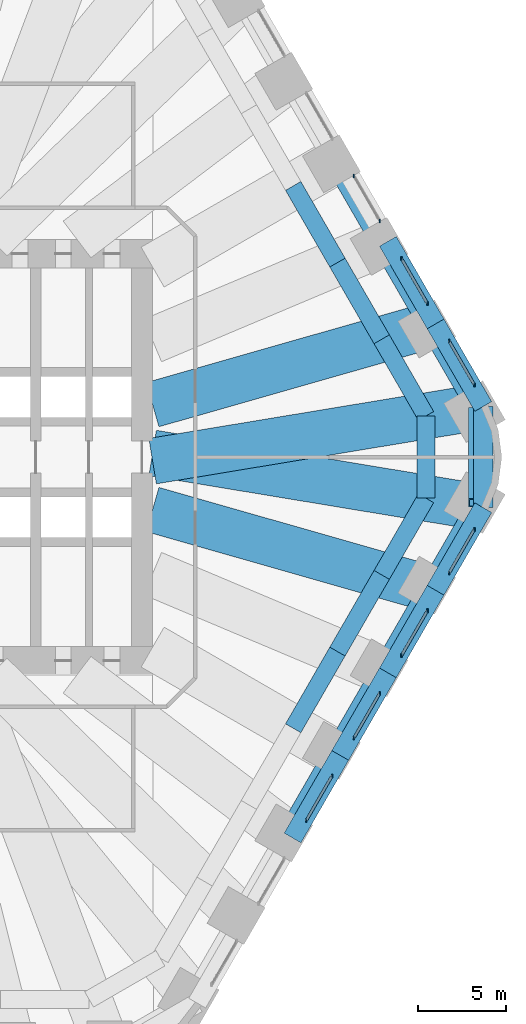
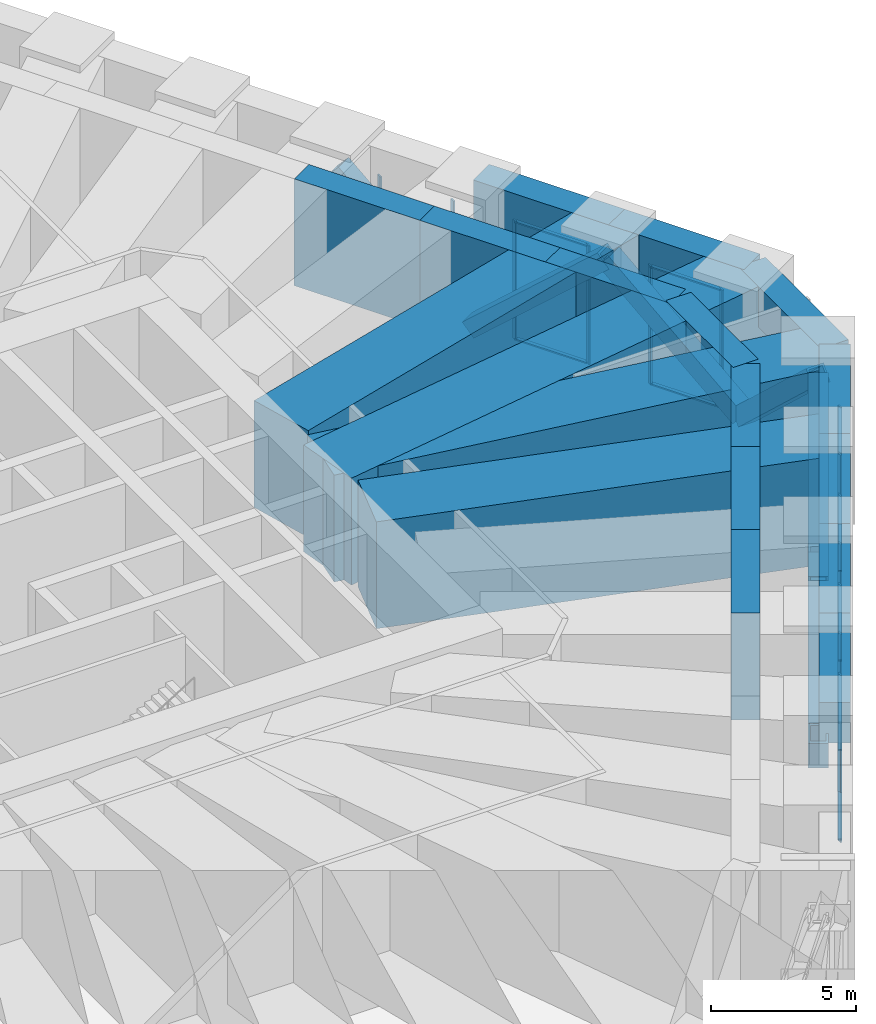
# One storey, part 9 of 17: 34 members, 18 beams, 7 elements without a shape of their own.
"""IFC4 building model written with IfcOpenShell, lengths in metres."""

from ifc_helpers import new_model, si_unit, direction, frame, origin, origin_2d, place, context, subcontext, project, spatial, rectangle, hollow_rectangle, extrude, material, material_profile, profile_set, type_object, element, aggregate, save


model = new_model("IFC4")

# Units and contexts
model_context = context("Model", 3, precision=1e-05, world=origin(), true_north=direction((0.0, 1.0)))
body_context = subcontext(model_context, "Body", "Model", "MODEL_VIEW")
ifc_project = project(units=[si_unit("LENGTHUNIT", "METRE"), si_unit("AREAUNIT", "SQUARE_METRE"), si_unit("VOLUMEUNIT", "CUBIC_METRE"), si_unit("PLANEANGLEUNIT", "RADIAN"), si_unit("MASSUNIT", "GRAM", prefix="KILO")], contexts=[model_context])

# Site, building, storey
site_placement = place(None, origin())
site = spatial("IfcSite", under=ifc_project, at=site_placement, CompositionType="ELEMENT")
building_placement = place(site_placement, origin())
building = spatial("IfcBuilding", under=site, at=building_placement, Name="Tarfa Lantern Tower", CompositionType="ELEMENT")
storey_placement = place(building_placement, frame((0.0, 0.0, 107.5)))
storey = spatial("IfcBuildingStorey", under=building, at=storey_placement, Name="L24", CompositionType="ELEMENT", Elevation=107.5)

# Members
ifc_material_1 = material(Name="Steel S460M", Category="steel")
ifc_material_profile_1 = material_profile(ifc_material_1, hollow_rectangle(XDim=0.699951171875, YDim=0.699951171875, WallThickness=0.080078125, at=origin_2d()), Name="BOX700x700x80")
ifc_profile_set_1 = profile_set([ifc_material_profile_1], Name="Steel S460M")
member_type_1 = type_object("IfcMemberType", Name="BT1 BOX700x700x80", PredefinedType="BRACE", material=ifc_profile_set_1)
for number, where, z_axis, x_axis, name in (
    (1, (36.791748046875, 2.574951171875, 0.60009765625), (-0.373364035688, 0.646688432601, 0.66512658043), (-0.866026392449, -0.499998287579, 0.0), "Belt truss diagonal 1"),
    (2, (31.403076171875, 11.908447265625, 0.60009765625), (0.373364035688, -0.646688432601, 0.66512658043), (0.866026392449, 0.499998287579, 0.0), "Belt truss diagonal 2"),
    (3, (31.403076171875, 11.908447265625, 0.60009765625), (-0.373372204356, 0.64666874901, 0.665141132444), (-0.866015065331, -0.500017906299, 0.0), "Belt truss diagonal 3"),
    (4, (28.708740234375, -16.574951171875, 0.60009765625), (-0.373364035688, -0.646688432601, 0.66512658043), (0.866026392449, -0.499998287579, 0.0), "Belt truss diagonal 38"),
    (5, (28.708740234375, -16.574951171875, 0.60009765625), (0.373372204356, 0.64666874901, 0.665141132444), (-0.866015065331, 0.500017906299, 0.0), "Belt truss diagonal 39"),
    (6, (34.097412109375, -7.24169921875, 0.60009765625), (-0.373364035688, -0.646688432601, 0.66512658043), (0.866026392449, -0.499998287579, 0.0), "Belt truss diagonal 40"),
    (7, (34.097412109375, -7.24169921875, 0.60009765625), (0.373364035688, 0.646688432601, 0.66512658043), (-0.866026392449, 0.499998287579, 0.0), "Belt truss diagonal 41"),
):
    element("IfcMember", number, at=place(storey_placement, frame(where, z_axis=z_axis, x_axis=x_axis)), inside=storey, type_object=member_type_1, Name=name, PredefinedType="BRACE", context=body_context, shape_type="SweptSolid", body=[
        extrude(hollow_rectangle(XDim=0.699951171875, YDim=0.699951171875, WallThickness=0.080078125, at=origin_2d()), origin(), (0.0, 0.0, 1.0), 7.21630859375),
    ])
member_1_placement = place(storey_placement, frame((36.791748046875, 2.574951171875, 0.60009765625), z_axis=(0.0, -0.731534837931, 0.681804063418), x_axis=(1.0, 0.0, 0.0)))
element("IfcMember", 8, at=member_1_placement, inside=storey, type_object=member_type_1, Name="Belt truss diagonal 42", PredefinedType="BRACE", context=body_context, shape_type="SweptSolid", body=[
    extrude(hollow_rectangle(XDim=0.699951171875, YDim=0.699951171875, WallThickness=0.080078125, at=origin_2d()), origin(), (0.0, 0.0, 1.0), 7.039794921875),
])

# Curtain wall, members
ifc_material_2 = material(Name="Aluminium framed curtain wall", Category="aluminium")
curtain_wall_type = type_object("IfcCurtainWallType", Name="CW6 LOUVRED SCREEN WALL 5000", PredefinedType="USERDEFINED", material=ifc_material_2)
curtain_wall_1_placement = place(storey_placement, origin())
curtain_wall_1 = element("IfcCurtainWall", 9, at=curtain_wall_1_placement, inside=storey, type_object=curtain_wall_type, Name="CW6 NE L24", ObjectType="CURTAIN WALL", PredefinedType="USERDEFINED")
ifc_material_3 = material(Name="Aluminium mullion", Category="aluminium")
ifc_material_profile_2 = material_profile(ifc_material_3, rectangle(XDim=0.06494140625, YDim=0.199951171875, at=origin_2d()), Name="AL MULLION 65x200")
ifc_profile_set_2 = profile_set([ifc_material_profile_2], Name="Aluminium mullion")
member_type_2 = type_object("IfcMemberType", Name="CWM1 MULLION 65x200", PredefinedType="MULLION", material=ifc_profile_set_2)
member_2_placement = place(storey_placement, frame((36.787353515625, 4.082275390625, 0.0), z_axis=(0.0, 0.0, 1.0), x_axis=(1.0, 0.0, 0.0)))
member_2 = element("IfcMember", 10, at=member_2_placement, type_object=member_type_2, Name="CW6 mullion 1", PredefinedType="MULLION", context=body_context, shape_type="SweptSolid", body=[
    extrude(rectangle(XDim=0.06494140625, YDim=0.199951171875, at=origin_2d()), origin(), (0.0, 0.0, 1.0), 5.0),
])
member_3_placement = place(storey_placement, frame((35.363037109375, 6.54931640625, 0.0), z_axis=(0.0, 0.0, 1.0), x_axis=(1.0, 0.0, 0.0)))
member_3 = element("IfcMember", 11, at=member_3_placement, type_object=member_type_2, Name="CW6 mullion 2", PredefinedType="MULLION", context=body_context, shape_type="SweptSolid", body=[
    extrude(rectangle(XDim=0.06494140625, YDim=0.199951171875, at=origin_2d()), origin(), (0.0, 0.0, 1.0), 5.0),
])

curtain_wall_2_placement = place(storey_placement, origin())
curtain_wall_2 = element("IfcCurtainWall", 12, at=curtain_wall_2_placement, inside=storey, type_object=curtain_wall_type, Name="CW6 NE L24", ObjectType="CURTAIN WALL", PredefinedType="USERDEFINED")
member_4_placement = place(storey_placement, frame((34.130615234375, 8.68408203125, 0.0), z_axis=(0.0, 0.0, 1.0), x_axis=(1.0, 0.0, 0.0)))
member_4 = element("IfcMember", 13, at=member_4_placement, type_object=member_type_2, Name="CW6 mullion 1", PredefinedType="MULLION", context=body_context, shape_type="SweptSolid", body=[
    extrude(rectangle(XDim=0.06494140625, YDim=0.199951171875, at=origin_2d()), origin(), (0.0, 0.0, 1.0), 5.0),
])
member_5_placement = place(storey_placement, frame((32.668701171875, 11.216064453125, 0.0), z_axis=(0.0, 0.0, 1.0), x_axis=(1.0, 0.0, 0.0)))
member_5 = element("IfcMember", 14, at=member_5_placement, type_object=member_type_2, Name="CW6 mullion 2", PredefinedType="MULLION", context=body_context, shape_type="SweptSolid", body=[
    extrude(rectangle(XDim=0.06494140625, YDim=0.199951171875, at=origin_2d()), origin(), (0.0, 0.0, 1.0), 5.0),
])

curtain_wall_3_placement = place(storey_placement, origin())
curtain_wall_3 = element("IfcCurtainWall", 15, at=curtain_wall_3_placement, inside=storey, type_object=curtain_wall_type, Name="CW6 NE L24", ObjectType="CURTAIN WALL", PredefinedType="USERDEFINED")
member_6_placement = place(storey_placement, frame((31.436279296875, 13.350830078125, 0.0), z_axis=(0.0, 0.0, 1.0), x_axis=(1.0, 0.0, 0.0)))
member_6 = element("IfcMember", 16, at=member_6_placement, type_object=member_type_2, Name="CW6 mullion 1", PredefinedType="MULLION", context=body_context, shape_type="SweptSolid", body=[
    extrude(rectangle(XDim=0.06494140625, YDim=0.199951171875, at=origin_2d()), origin(), (0.0, 0.0, 1.0), 5.0),
])
member_7_placement = place(storey_placement, frame((29.974609375, 15.882568359375, 0.0), z_axis=(0.0, 0.0, 1.0), x_axis=(1.0, 0.0, 0.0)))
member_7 = element("IfcMember", 17, at=member_7_placement, type_object=member_type_2, Name="CW6 mullion 2", PredefinedType="MULLION", context=body_context, shape_type="SweptSolid", body=[
    extrude(rectangle(XDim=0.06494140625, YDim=0.199951171875, at=origin_2d()), origin(), (0.0, 0.0, 1.0), 5.0),
])
aggregate(curtain_wall_3, [member_6, member_7])

curtain_wall_4_placement = place(storey_placement, origin())
curtain_wall_4 = element("IfcCurtainWall", 18, at=curtain_wall_4_placement, inside=storey, type_object=curtain_wall_type, Name="CW6 SE L24", ObjectType="CURTAIN WALL", PredefinedType="USERDEFINED")
member_8_placement = place(storey_placement, frame((27.2802734375, -20.54931640625, 0.0), z_axis=(0.0, 0.0, 1.0), x_axis=(1.0, 0.0, 0.0)))
member_8 = element("IfcMember", 19, at=member_8_placement, type_object=member_type_2, Name="CW6 mullion 1", PredefinedType="MULLION", context=body_context, shape_type="SweptSolid", body=[
    extrude(rectangle(XDim=0.06494140625, YDim=0.199951171875, at=origin_2d()), origin(), (0.0, 0.0, 1.0), 5.0),
])
member_9_placement = place(storey_placement, frame((28.741943359375, -18.017333984375, 0.0), z_axis=(0.0, 0.0, 1.0), x_axis=(1.0, 0.0, 0.0)))
member_9 = element("IfcMember", 20, at=member_9_placement, type_object=member_type_2, Name="CW6 mullion 2", PredefinedType="MULLION", context=body_context, shape_type="SweptSolid", body=[
    extrude(rectangle(XDim=0.06494140625, YDim=0.199951171875, at=origin_2d()), origin(), (0.0, 0.0, 1.0), 5.0),
])

curtain_wall_5_placement = place(storey_placement, origin())
curtain_wall_5 = element("IfcCurtainWall", 21, at=curtain_wall_5_placement, inside=storey, type_object=curtain_wall_type, Name="CW6 SE L24", ObjectType="CURTAIN WALL", PredefinedType="USERDEFINED")
member_10_placement = place(storey_placement, frame((29.974609375, -15.882568359375, 0.0), z_axis=(0.0, 0.0, 1.0), x_axis=(1.0, 0.0, 0.0)))
member_10 = element("IfcMember", 22, at=member_10_placement, type_object=member_type_2, Name="CW6 mullion 1", PredefinedType="MULLION", context=body_context, shape_type="SweptSolid", body=[
    extrude(rectangle(XDim=0.06494140625, YDim=0.199951171875, at=origin_2d()), origin(), (0.0, 0.0, 1.0), 5.0),
])
member_11_placement = place(storey_placement, frame((31.436279296875, -13.350830078125, 0.0), z_axis=(0.0, 0.0, 1.0), x_axis=(1.0, 0.0, 0.0)))
member_11 = element("IfcMember", 23, at=member_11_placement, type_object=member_type_2, Name="CW6 mullion 2", PredefinedType="MULLION", context=body_context, shape_type="SweptSolid", body=[
    extrude(rectangle(XDim=0.06494140625, YDim=0.199951171875, at=origin_2d()), origin(), (0.0, 0.0, 1.0), 5.0),
])

curtain_wall_6_placement = place(storey_placement, origin())
curtain_wall_6 = element("IfcCurtainWall", 24, at=curtain_wall_6_placement, inside=storey, type_object=curtain_wall_type, Name="CW6 SE L24", ObjectType="CURTAIN WALL", PredefinedType="USERDEFINED")
member_12_placement = place(storey_placement, frame((32.668701171875, -11.216064453125, 0.0), z_axis=(0.0, 0.0, 1.0), x_axis=(1.0, 0.0, 0.0)))
member_12 = element("IfcMember", 25, at=member_12_placement, type_object=member_type_2, Name="CW6 mullion 1", PredefinedType="MULLION", context=body_context, shape_type="SweptSolid", body=[
    extrude(rectangle(XDim=0.06494140625, YDim=0.199951171875, at=origin_2d()), origin(), (0.0, 0.0, 1.0), 5.0),
])
member_13_placement = place(storey_placement, frame((34.130615234375, -8.68408203125, 0.0), z_axis=(0.0, 0.0, 1.0), x_axis=(1.0, 0.0, 0.0)))
member_13 = element("IfcMember", 26, at=member_13_placement, type_object=member_type_2, Name="CW6 mullion 2", PredefinedType="MULLION", context=body_context, shape_type="SweptSolid", body=[
    extrude(rectangle(XDim=0.06494140625, YDim=0.199951171875, at=origin_2d()), origin(), (0.0, 0.0, 1.0), 5.0),
])

curtain_wall_7_placement = place(storey_placement, origin())
curtain_wall_7 = element("IfcCurtainWall", 27, at=curtain_wall_7_placement, inside=storey, type_object=curtain_wall_type, Name="CW6 SE L24", ObjectType="CURTAIN WALL", PredefinedType="USERDEFINED")
member_14_placement = place(storey_placement, frame((35.363037109375, -6.54931640625, 0.0), z_axis=(0.0, 0.0, 1.0), x_axis=(1.0, 0.0, 0.0)))
member_14 = element("IfcMember", 28, at=member_14_placement, type_object=member_type_2, Name="CW6 mullion 1", PredefinedType="MULLION", context=body_context, shape_type="SweptSolid", body=[
    extrude(rectangle(XDim=0.06494140625, YDim=0.199951171875, at=origin_2d()), origin(), (0.0, 0.0, 1.0), 5.0),
])
member_15_placement = place(storey_placement, frame((36.787353515625, -4.082275390625, 0.0), z_axis=(0.0, 0.0, 1.0), x_axis=(1.0, 0.0, 0.0)))
member_15 = element("IfcMember", 29, at=member_15_placement, type_object=member_type_2, Name="CW6 mullion 2", PredefinedType="MULLION", context=body_context, shape_type="SweptSolid", body=[
    extrude(rectangle(XDim=0.06494140625, YDim=0.199951171875, at=origin_2d()), origin(), (0.0, 0.0, 1.0), 5.0),
])

# Member
ifc_material_4 = material(Name="Aluminium transom", Category="aluminium")
ifc_material_profile_3 = material_profile(ifc_material_4, rectangle(XDim=0.14990234375, YDim=0.06494140625, at=origin_2d()), Name="AL TRANSOM 150x65")
ifc_profile_set_3 = profile_set([ifc_material_profile_3], Name="Aluminium transom")
member_type_3 = type_object("IfcMemberType", Name="CWT1 TRANSOM 150x65", PredefinedType="USERDEFINED", material=ifc_profile_set_3)
member_16_placement = place(storey_placement, frame((36.771240234375, 4.110595703125, 0.032470703125), z_axis=(-0.500016013541, 0.866016158165, 0.0), x_axis=(-0.866016158165, -0.500016013541, 0.0)))
member_16 = element("IfcMember", 30, at=member_16_placement, type_object=member_type_3, Name="CW6 transom 1.1", ObjectType="TRANSOM", PredefinedType="USERDEFINED", context=body_context, shape_type="SweptSolid", body=[
    extrude(rectangle(XDim=0.14990234375, YDim=0.06494140625, at=origin_2d()), origin(), (0.0, 0.0, 1.0), 2.78369140625),
])

member_17_placement = place(storey_placement, frame((36.771240234375, 4.110595703125, 4.967529296875), z_axis=(-0.500016013541, 0.866016158165, 0.0), x_axis=(-0.866016158165, -0.500016013541, 0.0)))
member_17 = element("IfcMember", 31, at=member_17_placement, type_object=member_type_3, Name="CW6 transom 1.2", ObjectType="TRANSOM", PredefinedType="USERDEFINED", context=body_context, shape_type="SweptSolid", body=[
    extrude(rectangle(XDim=0.14990234375, YDim=0.06494140625, at=origin_2d()), origin(), (0.0, 0.0, 1.0), 2.78369140625),
])

aggregate(curtain_wall_1, [member_2, member_3, member_16, member_17])

member_18_placement = place(storey_placement, frame((34.1142578125, 8.712158203125, 0.032470703125), z_axis=(-0.499978750566, 0.866037671803, 0.0), x_axis=(-0.866037671803, -0.499978750566, 0.0)))
member_18 = element("IfcMember", 32, at=member_18_placement, type_object=member_type_3, Name="CW6 transom 1.1", ObjectType="TRANSOM", PredefinedType="USERDEFINED", context=body_context, shape_type="SweptSolid", body=[
    extrude(rectangle(XDim=0.14990234375, YDim=0.06494140625, at=origin_2d()), origin(), (0.0, 0.0, 1.0), 2.8583984375),
])

member_19_placement = place(storey_placement, frame((34.1142578125, 8.712158203125, 4.967529296875), z_axis=(-0.499978750566, 0.866037671803, 0.0), x_axis=(-0.866037671803, -0.499978750566, 0.0)))
member_19 = element("IfcMember", 33, at=member_19_placement, type_object=member_type_3, Name="CW6 transom 1.2", ObjectType="TRANSOM", PredefinedType="USERDEFINED", context=body_context, shape_type="SweptSolid", body=[
    extrude(rectangle(XDim=0.14990234375, YDim=0.06494140625, at=origin_2d()), origin(), (0.0, 0.0, 1.0), 2.8583984375),
])

aggregate(curtain_wall_2, [member_4, member_5, member_18, member_19])

member_20_placement = place(storey_placement, frame((27.29638671875, -20.521240234375, 0.032470703125), z_axis=(0.500005823294, 0.866022041678, 0.0), x_axis=(-0.866022041678, 0.500005823294, 0.0)))
member_20 = element("IfcMember", 34, at=member_20_placement, type_object=member_type_3, Name="CW6 transom 1.1", ObjectType="TRANSOM", PredefinedType="USERDEFINED", context=body_context, shape_type="SweptSolid", body=[
    extrude(rectangle(XDim=0.14990234375, YDim=0.06494140625, at=origin_2d()), origin(), (0.0, 0.0, 1.0), 2.85888671875),
])

member_21_placement = place(storey_placement, frame((27.29638671875, -20.521240234375, 4.967529296875), z_axis=(0.500005823294, 0.866022041678, 0.0), x_axis=(-0.866022041678, 0.500005823294, 0.0)))
member_21 = element("IfcMember", 35, at=member_21_placement, type_object=member_type_3, Name="CW6 transom 1.2", ObjectType="TRANSOM", PredefinedType="USERDEFINED", context=body_context, shape_type="SweptSolid", body=[
    extrude(rectangle(XDim=0.14990234375, YDim=0.06494140625, at=origin_2d()), origin(), (0.0, 0.0, 1.0), 2.85888671875),
])

aggregate(curtain_wall_4, [member_8, member_9, member_20, member_21])

member_22_placement = place(storey_placement, frame((29.99072265625, -15.8544921875, 0.032470703125), z_axis=(0.500042804318, 0.866000689289, 0.0), x_axis=(-0.866000689289, 0.500042804318, 0.0)))
member_22 = element("IfcMember", 36, at=member_22_placement, type_object=member_type_3, Name="CW6 transom 1.1", ObjectType="TRANSOM", PredefinedType="USERDEFINED", context=body_context, shape_type="SweptSolid", body=[
    extrude(rectangle(XDim=0.14990234375, YDim=0.06494140625, at=origin_2d()), origin(), (0.0, 0.0, 1.0), 2.858642578125),
])

member_23_placement = place(storey_placement, frame((29.99072265625, -15.8544921875, 4.967529296875), z_axis=(0.500042804318, 0.866000689289, 0.0), x_axis=(-0.866000689289, 0.500042804318, 0.0)))
member_23 = element("IfcMember", 37, at=member_23_placement, type_object=member_type_3, Name="CW6 transom 1.2", ObjectType="TRANSOM", PredefinedType="USERDEFINED", context=body_context, shape_type="SweptSolid", body=[
    extrude(rectangle(XDim=0.14990234375, YDim=0.06494140625, at=origin_2d()), origin(), (0.0, 0.0, 1.0), 2.858642578125),
])

aggregate(curtain_wall_5, [member_10, member_11, member_22, member_23])

member_24_placement = place(storey_placement, frame((32.68505859375, -11.187744140625, 0.032470703125), z_axis=(0.499978750566, 0.866037671803, 0.0), x_axis=(-0.866037671803, 0.499978750566, 0.0)))
member_24 = element("IfcMember", 38, at=member_24_placement, type_object=member_type_3, Name="CW6 transom 1.1", ObjectType="TRANSOM", PredefinedType="USERDEFINED", context=body_context, shape_type="SweptSolid", body=[
    extrude(rectangle(XDim=0.14990234375, YDim=0.06494140625, at=origin_2d()), origin(), (0.0, 0.0, 1.0), 2.8583984375),
])

member_25_placement = place(storey_placement, frame((32.68505859375, -11.187744140625, 4.967529296875), z_axis=(0.499978750566, 0.866037671803, 0.0), x_axis=(-0.866037671803, 0.499978750566, 0.0)))
member_25 = element("IfcMember", 39, at=member_25_placement, type_object=member_type_3, Name="CW6 transom 1.2", ObjectType="TRANSOM", PredefinedType="USERDEFINED", context=body_context, shape_type="SweptSolid", body=[
    extrude(rectangle(XDim=0.14990234375, YDim=0.06494140625, at=origin_2d()), origin(), (0.0, 0.0, 1.0), 2.8583984375),
])

aggregate(curtain_wall_6, [member_12, member_13, member_24, member_25])

member_26_placement = place(storey_placement, frame((35.37939453125, -6.521240234375, 0.032470703125), z_axis=(0.500016013541, 0.866016158165, 0.0), x_axis=(-0.866016158165, 0.500016013541, 0.0)))
member_26 = element("IfcMember", 40, at=member_26_placement, type_object=member_type_3, Name="CW6 transom 1.1", ObjectType="TRANSOM", PredefinedType="USERDEFINED", context=body_context, shape_type="SweptSolid", body=[
    extrude(rectangle(XDim=0.14990234375, YDim=0.06494140625, at=origin_2d()), origin(), (0.0, 0.0, 1.0), 2.78369140625),
])

member_27_placement = place(storey_placement, frame((35.37939453125, -6.521240234375, 4.967529296875), z_axis=(0.500016013541, 0.866016158165, 0.0), x_axis=(-0.866016158165, 0.500016013541, 0.0)))
member_27 = element("IfcMember", 41, at=member_27_placement, type_object=member_type_3, Name="CW6 transom 1.2", ObjectType="TRANSOM", PredefinedType="USERDEFINED", context=body_context, shape_type="SweptSolid", body=[
    extrude(rectangle(XDim=0.14990234375, YDim=0.06494140625, at=origin_2d()), origin(), (0.0, 0.0, 1.0), 2.78369140625),
])

aggregate(curtain_wall_7, [member_14, member_15, member_26, member_27])

# Beams
ifc_material_5 = material(Name="Concrete C80/95", Category="concrete")
ifc_material_profile_4 = material_profile(ifc_material_5, rectangle(XDim=1.10009765625, YDim=1.699951171875, at=origin_2d()), Name="RC 1100x1700")
ifc_profile_set_4 = profile_set([ifc_material_profile_4], Name="Concrete C80/95")
beam_type_1 = type_object("IfcBeamType", Name="RB1 RC 1100x1700", PredefinedType="BEAM", material=ifc_profile_set_4)
beam_1_placement = place(storey_placement, frame((37.285400390625, 2.860107421875, 5.85009765625), z_axis=(-0.500017906299, 0.866015065331, 0.0), x_axis=(-0.866015065331, -0.500017906299, 0.0)))
element("IfcBeam", 42, at=beam_1_placement, inside=storey, type_object=beam_type_1, Name="Edge beam NE0", PredefinedType="BEAM", context=body_context, shape_type="SweptSolid", body=[
    extrude(rectangle(XDim=1.10009765625, YDim=1.699951171875, at=origin_2d()), origin(), (0.0, 0.0, 1.0), 5.388427734375),
])
beam_2_placement = place(storey_placement, frame((34.591064453125, 7.526611328125, 5.85009765625), z_axis=(-0.499998287579, 0.866026392449, 0.0), x_axis=(-0.866026392449, -0.499998287579, 0.0)))
element("IfcBeam", 43, at=beam_2_placement, inside=storey, type_object=beam_type_1, Name="Edge beam NE1", PredefinedType="BEAM", context=body_context, shape_type="SweptSolid", body=[
    extrude(rectangle(XDim=1.10009765625, YDim=1.699951171875, at=origin_2d()), origin(), (0.0, 0.0, 1.0), 5.388671875),
])
beam_3_placement = place(storey_placement, frame((26.508056640625, -21.526611328125, 5.85009765625), z_axis=(0.500017906299, 0.866015065331, 0.0), x_axis=(-0.866015065331, 0.500017906299, 0.0)))
element("IfcBeam", 44, at=beam_3_placement, inside=storey, type_object=beam_type_1, Name="Edge beam SE2", PredefinedType="BEAM", context=body_context, shape_type="SweptSolid", body=[
    extrude(rectangle(XDim=1.10009765625, YDim=1.699951171875, at=origin_2d()), origin(), (0.0, 0.0, 1.0), 5.388427734375),
])
for number, where, z_axis, x_axis, name in (
    (45, (29.202392578125, -16.860107421875, 5.85009765625), (0.499998287579, 0.866026392449, 0.0), (-0.866026392449, 0.499998287579, 0.0), "Edge beam SE3"),
    (46, (31.896728515625, -12.193359375, 5.85009765625), (0.499998287579, 0.866026392449, 0.0), (-0.866026392449, 0.499998287579, 0.0), "Edge beam SE4"),
):
    element("IfcBeam", number, at=place(storey_placement, frame(where, z_axis=z_axis, x_axis=x_axis)), inside=storey, type_object=beam_type_1, Name=name, PredefinedType="BEAM", context=body_context, shape_type="SweptSolid", body=[
        extrude(rectangle(XDim=1.10009765625, YDim=1.699951171875, at=origin_2d()), origin(), (0.0, 0.0, 1.0), 5.388671875),
    ])
beam_4_placement = place(storey_placement, frame((34.591064453125, -7.526611328125, 5.85009765625), z_axis=(0.500017906299, 0.866015065331, 0.0), x_axis=(-0.866015065331, 0.500017906299, 0.0)))
element("IfcBeam", 47, at=beam_4_placement, inside=storey, type_object=beam_type_1, Name="Edge beam SE5", PredefinedType="BEAM", context=body_context, shape_type="SweptSolid", body=[
    extrude(rectangle(XDim=1.10009765625, YDim=1.699951171875, at=origin_2d()), origin(), (0.0, 0.0, 1.0), 5.388427734375),
])
beam_5_placement = place(storey_placement, frame((37.285400390625, -2.860107421875, 5.85009765625), z_axis=(0.0, 1.0, 0.0), x_axis=(-1.0, 0.0, 0.0)))
element("IfcBeam", 48, at=beam_5_placement, inside=storey, type_object=beam_type_1, Name="Edge beam SE6", PredefinedType="BEAM", context=body_context, shape_type="SweptSolid", body=[
    extrude(rectangle(XDim=1.10009765625, YDim=1.699951171875, at=origin_2d()), origin(), (0.0, 0.0, 1.0), 5.72021484375),
])
ifc_material_profile_5 = material_profile(ifc_material_5, rectangle(XDim=1.0, YDim=4.5, at=origin_2d()), Name="RC 1000x4500")
ifc_profile_set_5 = profile_set([ifc_material_profile_5], Name="Concrete C80/95")
beam_type_2 = type_object("IfcBeamType", Name="RG1 RC 1000x4500", PredefinedType="BEAM", material=ifc_profile_set_5)
beam_6_placement = place(storey_placement, frame((34.04931640625, 2.324951171875, 4.449951171875), z_axis=(-0.500001197378, 0.866024712477, 0.0), x_axis=(-0.866024712477, -0.500001197378, 0.0)))
element("IfcBeam", 49, at=beam_6_placement, inside=storey, type_object=beam_type_2, Name="Ring girder NE0", PredefinedType="BEAM", context=body_context, shape_type="SweptSolid", body=[
    extrude(rectangle(XDim=1.0, YDim=4.5, at=origin_2d()), origin(), (0.0, 0.0, 1.0), 5.00390625),
])
for number, where, z_axis, x_axis, name in (
    (50, (31.54736328125, 6.658447265625, 4.449951171875), (-0.500022324899, 0.866012514114, 0.0), (-0.866012514114, -0.500022324899, 0.0), "Ring girder NE1"),
    (51, (29.04541015625, 10.99169921875, 4.449951171875), (-0.49998573051, 0.866033642122, 0.0), (-0.866033642122, -0.49998573051, 0.0), "Ring girder NE2"),
    (52, (26.543701171875, -15.324951171875, 4.449951171875), (0.49998573051, 0.866033642122, 0.0), (-0.866033642122, 0.49998573051, 0.0), "Ring girder SE3"),
    (53, (29.04541015625, -10.99169921875, 4.449951171875), (0.500022324899, 0.866012514114, 0.0), (-0.866012514114, 0.500022324899, 0.0), "Ring girder SE4"),
):
    element("IfcBeam", number, at=place(storey_placement, frame(where, z_axis=z_axis, x_axis=x_axis)), inside=storey, type_object=beam_type_2, Name=name, PredefinedType="BEAM", context=body_context, shape_type="SweptSolid", body=[
        extrude(rectangle(XDim=1.0, YDim=4.5, at=origin_2d()), origin(), (0.0, 0.0, 1.0), 5.003662109375),
    ])
beam_7_placement = place(storey_placement, frame((31.54736328125, -6.658447265625, 4.449951171875), z_axis=(0.500001197378, 0.866024712477, 0.0), x_axis=(-0.866024712477, 0.500001197378, 0.0)))
element("IfcBeam", 54, at=beam_7_placement, inside=storey, type_object=beam_type_2, Name="Ring girder SE5", PredefinedType="BEAM", context=body_context, shape_type="SweptSolid", body=[
    extrude(rectangle(XDim=1.0, YDim=4.5, at=origin_2d()), origin(), (0.0, 0.0, 1.0), 5.00390625),
])
beam_8_placement = place(storey_placement, frame((34.04931640625, -2.324951171875, 4.449951171875), z_axis=(0.0, 1.0, 0.0), x_axis=(-1.0, 0.0, 0.0)))
element("IfcBeam", 55, at=beam_8_placement, inside=storey, type_object=beam_type_2, Name="Ring girder SE6", PredefinedType="BEAM", context=body_context, shape_type="SweptSolid", body=[
    extrude(rectangle(XDim=1.0, YDim=4.5, at=origin_2d()), origin(), (0.0, 0.0, 1.0), 4.64990234375),
])
ifc_material_profile_6 = material_profile(ifc_material_5, rectangle(XDim=2.60009765625, YDim=4.5, at=origin_2d()), Name="RC 2600x4500")
ifc_profile_set_6 = profile_set([ifc_material_profile_6], Name="Concrete C80/95")
beam_type_3 = type_object("IfcBeamType", Name="TG1 RC 2600x4500", PredefinedType="BEAM", material=ifc_profile_set_6)
beam_9_placement = place(storey_placement, frame((37.285400390625, 2.860107421875, 4.449951171875), z_axis=(-0.986605971157, -0.163121603959, 0.0), x_axis=(0.163121603959, -0.986605971157, 0.0)))
element("IfcBeam", 56, at=beam_9_placement, inside=storey, type_object=beam_type_3, Name="Transfer girder NE0", PredefinedType="BEAM", context=body_context, shape_type="SweptSolid", body=[
    extrude(rectangle(XDim=2.60009765625, YDim=4.5, at=origin_2d()), origin(), (0.0, 0.0, 1.0), 18.93896484375),
])
for number, where, z_axis, x_axis, name in (
    (57, (34.591064453125, 7.526611328125, 4.449951171875), (-0.96162858791, -0.274354622548, 0.0), (0.274354622548, -0.96162858791, 0.0), "Transfer girder NE1"),
    (58, (34.591064453125, -7.526611328125, 4.449951171875), (-0.96162858791, 0.274354622548, 0.0), (-0.274354622548, -0.96162858791, 0.0), "Transfer girder SE5"),
):
    element("IfcBeam", number, at=place(storey_placement, frame(where, z_axis=z_axis, x_axis=x_axis)), inside=storey, type_object=beam_type_3, Name=name, PredefinedType="BEAM", context=body_context, shape_type="SweptSolid", body=[
        extrude(rectangle(XDim=2.60009765625, YDim=4.5, at=origin_2d()), origin(), (0.0, 0.0, 1.0), 16.629150390625),
    ])
beam_10_placement = place(storey_placement, frame((37.285400390625, -2.860107421875, 4.449951171875), z_axis=(-0.986605971157, 0.163121603959, 0.0), x_axis=(-0.163121603959, -0.986605971157, 0.0)))
element("IfcBeam", 59, at=beam_10_placement, inside=storey, type_object=beam_type_3, Name="Transfer girder SE6", PredefinedType="BEAM", context=body_context, shape_type="SweptSolid", body=[
    extrude(rectangle(XDim=2.60009765625, YDim=4.5, at=origin_2d()), origin(), (0.0, 0.0, 1.0), 18.93896484375),
])

save(model, "model.ifc")
